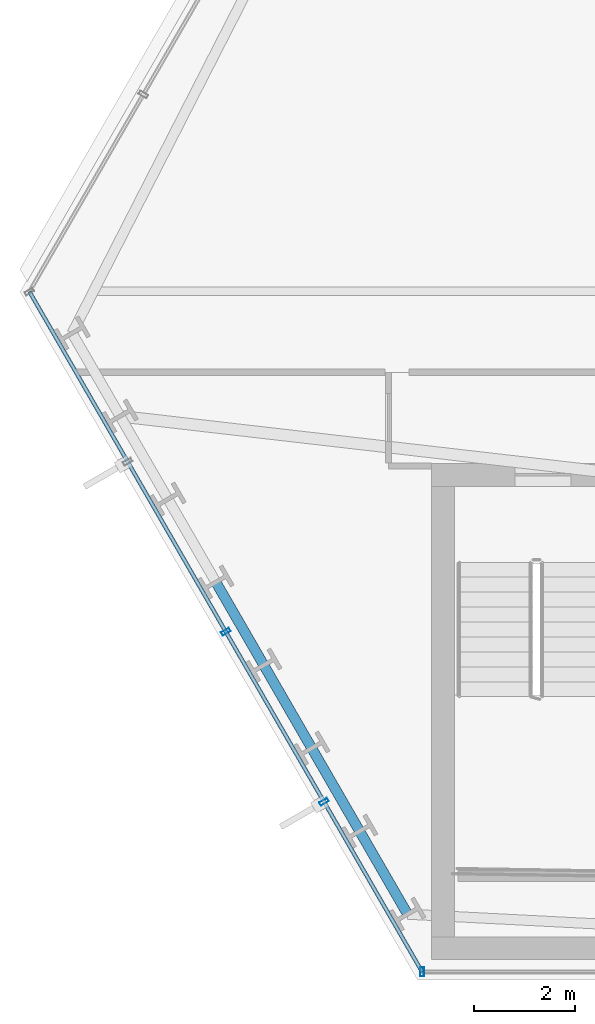
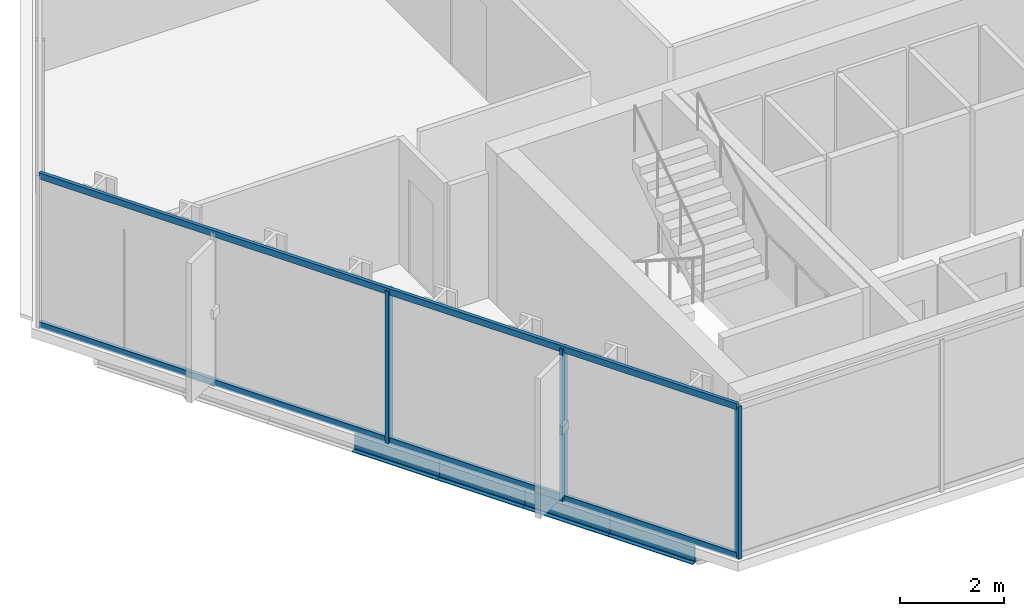
# One storey, part 2 of 32: 5 members, 4 beams, 2 elements without a shape of their own.
"""IFC4 building model written with IfcOpenShell, lengths in metres."""

from ifc_helpers import new_model, si_unit, direction, frame, origin, origin_2d, place, context, subcontext, project, spatial, hollow_rectangle, i_section, extrude, material, layer, layer_set, material_profile, profile_set, type_object, element, aggregate, save


model = new_model("IFC4")

# Units and contexts
model_context = context("Model", 3, precision=1e-05, world=origin(), true_north=direction((0.0, 1.0)))
body_context = subcontext(model_context, "Body", "Model", "MODEL_VIEW")
ifc_project = project(units=[si_unit("LENGTHUNIT", "METRE"), si_unit("AREAUNIT", "SQUARE_METRE"), si_unit("VOLUMEUNIT", "CUBIC_METRE"), si_unit("PLANEANGLEUNIT", "RADIAN"), si_unit("MASSUNIT", "GRAM", prefix="KILO")], contexts=[model_context])

# Site, building, storey
site_placement = place(None, origin())
site = spatial("IfcSite", under=ifc_project, at=site_placement, CompositionType="ELEMENT")
building_placement = place(site_placement, origin())
building = spatial("IfcBuilding", under=site, at=building_placement, Name="Ndaravel Arena Tower", CompositionType="ELEMENT")
storey_placement = place(building_placement, frame((0.0, 0.0, 58.800048828125)))
storey = spatial("IfcBuildingStorey", under=building, at=storey_placement, Name="L12", CompositionType="ELEMENT", Elevation=58.800048828125)

# Beams
ifc_material_1 = material(Name="Steel S355", Category="steel")
ifc_material_profile_1 = material_profile(ifc_material_1, i_section(OverallWidth=0.199951171875, OverallDepth=0.5, WebThickness=0.01025390625, FlangeThickness=0.01611328125, FilletRadius=0.02099609375, at=origin_2d()), Name="IPE 500")
ifc_profile_set_1 = profile_set([ifc_material_profile_1], Name="Steel S355")
beam_type = type_object("IfcBeamType", Name="BM-SPAN-IPE500", PredefinedType="SPANDREL", material=ifc_profile_set_1)
for number, where, z_axis, x_axis, name in (
    (1, (22.19091796875, 12.856689453125, -0.469970703125), (0.499912255713, -0.866076057046, 0.0), (0.866076057046, 0.499912255713, 0.0), "L12 Perimeter Spandrel Beam SP-23"),
    (2, (23.13720703125, 11.21728515625, -0.469970703125), (0.500064840575, -0.865987964824, 0.0), (0.865987964824, 0.500064840575, 0.0), "L12 Perimeter Spandrel Beam SP-24"),
):
    element("IfcBeam", number, at=place(storey_placement, frame(where, z_axis=z_axis, x_axis=x_axis)), inside=storey, type_object=beam_type, Name=name, PredefinedType="SPANDREL", context=body_context, shape_type="SweptSolid", body=[
        extrude(i_section(OverallWidth=0.199951171875, OverallDepth=0.5, WebThickness=0.01025390625, FlangeThickness=0.01611328125, FilletRadius=0.02099609375, at=origin_2d()), origin(), (0.0, 0.0, 1.0), 1.892822265625),
    ])
beam_1_placement = place(storey_placement, frame((24.083740234375, 9.578125, -0.469970703125), z_axis=(0.499968102766, -0.866043818878, 0.0), x_axis=(0.866043818878, 0.499968102766, 0.0)))
element("IfcBeam", 3, at=beam_1_placement, inside=storey, type_object=beam_type, Name="L12 Perimeter Spandrel Beam SP-25", PredefinedType="SPANDREL", context=body_context, shape_type="SweptSolid", body=[
    extrude(i_section(OverallWidth=0.199951171875, OverallDepth=0.5, WebThickness=0.01025390625, FlangeThickness=0.01611328125, FilletRadius=0.02099609375, at=origin_2d()), origin(), (0.0, 0.0, 1.0), 1.892578125),
])
beam_2_placement = place(storey_placement, frame((25.030029296875, 7.93896484375, -0.469970703125), z_axis=(0.50000898992, -0.86602021339, 0.0), x_axis=(0.86602021339, 0.50000898992, 0.0)))
element("IfcBeam", 4, at=beam_2_placement, inside=storey, type_object=beam_type, Name="L12 Perimeter Spandrel Beam SP-26", PredefinedType="SPANDREL", context=body_context, shape_type="SweptSolid", body=[
    extrude(i_section(OverallWidth=0.199951171875, OverallDepth=0.5, WebThickness=0.01025390625, FlangeThickness=0.01611328125, FilletRadius=0.02099609375, at=origin_2d()), origin(), (0.0, 0.0, 1.0), 1.89306640625),
])

# Curtain wall, member
ifc_material_2 = material(Name="Aluminium", Category="aluminium")
ifc_layer_1 = layer(ifc_material_2, 0.179931640625)
ifc_layer_set_1 = layer_set([ifc_layer_1], Name="Aluminium")
curtain_wall_type_1 = type_object("IfcCurtainWallType", Name="CW-SYS-03", PredefinedType="NOTDEFINED", material=ifc_layer_set_1)
curtain_wall_1_placement = place(storey_placement, origin())
curtain_wall_1 = element("IfcCurtainWall", 5, at=curtain_wall_1_placement, inside=storey, type_object=curtain_wall_type_1, Name="L12 Faceted Crystal Curtain Wall CW-L12-E01", PredefinedType="NOTDEFINED")
ifc_material_3 = material(Name="Aluminium", Category="aluminium")
ifc_material_profile_2 = material_profile(ifc_material_3, hollow_rectangle(XDim=0.074951171875, YDim=0.179931640625, WallThickness=0.00390625, at=origin_2d()), Name="CW MULLION 75x180x4")
ifc_profile_set_2 = profile_set([ifc_material_profile_2], Name="Aluminium")
member_type_1 = type_object("IfcMemberType", Name="MEM-CW-MUL180", PredefinedType="MULLION", material=ifc_profile_set_2)
member_1_placement = place(storey_placement, frame((26.264892578125, 5.159912109375, 0.0), z_axis=(0.0, 0.0, 1.0), x_axis=(1.0, 0.0, 0.0)))
member_1 = element("IfcMember", 6, at=member_1_placement, type_object=member_type_1, Name="CW-L12-E01 Mullion 00", PredefinedType="MULLION", context=body_context, shape_type="SweptSolid", body=[
    extrude(hollow_rectangle(XDim=0.074951171875, YDim=0.179931640625, WallThickness=0.00390625, at=origin_2d()), origin(), (0.0, 0.0, 1.0), 3.579833984375),
])
aggregate(curtain_wall_1, [member_1])

# Curtain wall, members
ifc_material_4 = material(Name="Aluminium", Category="aluminium")
ifc_layer_2 = layer(ifc_material_4, 0.179931640625)
ifc_layer_set_2 = layer_set([ifc_layer_2], Name="Aluminium")
curtain_wall_type_2 = type_object("IfcCurtainWallType", Name="CW-SYS-02", PredefinedType="NOTDEFINED", material=ifc_layer_set_2)
curtain_wall_2_placement = place(storey_placement, origin())
curtain_wall_2 = element("IfcCurtainWall", 7, at=curtain_wall_2_placement, inside=storey, type_object=curtain_wall_type_2, Name="L12 Faceted Crystal Curtain Wall CW-L12-E06", PredefinedType="NOTDEFINED")
member_2_placement = place(storey_placement, frame((22.386962890625, 11.876953125, 0.0), z_axis=(0.0, 0.0, 1.0), x_axis=(0.5, -0.866025403784, 0.0)))
member_2 = element("IfcMember", 8, at=member_2_placement, type_object=member_type_1, Name="CW-L12-E06 Mullion 02", PredefinedType="MULLION", context=body_context, shape_type="SweptSolid", body=[
    extrude(hollow_rectangle(XDim=0.074951171875, YDim=0.179931640625, WallThickness=0.00390625, at=origin_2d()), origin(), (0.0, 0.0, 1.0), 3.579833984375),
])
member_3_placement = place(storey_placement, frame((24.325927734375, 8.5185546875, 0.0), z_axis=(0.0, 0.0, 1.0), x_axis=(0.5, -0.866025403784, 0.0)))
member_3 = element("IfcMember", 9, at=member_3_placement, type_object=member_type_1, Name="CW-L12-E06 Mullion 03", PredefinedType="MULLION", context=body_context, shape_type="SweptSolid", body=[
    extrude(hollow_rectangle(XDim=0.074951171875, YDim=0.179931640625, WallThickness=0.00390625, at=origin_2d()), origin(), (0.0, 0.0, 1.0), 3.579833984375),
])
ifc_material_5 = material(Name="Aluminium", Category="aluminium")
ifc_material_profile_3 = material_profile(ifc_material_5, hollow_rectangle(XDim=0.074951171875, YDim=0.14990234375, WallThickness=0.00390625, at=origin_2d()), Name="CW TRANSOM 75x150x4")
ifc_profile_set_3 = profile_set([ifc_material_profile_3], Name="Aluminium")
member_type_2 = type_object("IfcMemberType", Name="MEM-CW-TRN150", PredefinedType="USERDEFINED", material=ifc_profile_set_3)
member_4_placement = place(storey_placement, frame((18.5087890625, 18.593994140625, 0.0400390625), z_axis=(0.499996743158, -0.866027284115, 0.0), x_axis=(0.866027284115, 0.499996743158, 0.0)))
member_4 = element("IfcMember", 10, at=member_4_placement, type_object=member_type_2, Name="CW-L12-E06 Transom 01", ObjectType="TRANSOM", PredefinedType="USERDEFINED", context=body_context, shape_type="SweptSolid", body=[
    extrude(hollow_rectangle(XDim=0.074951171875, YDim=0.14990234375, WallThickness=0.00390625, at=origin_2d()), origin(), (0.0, 0.0, 1.0), 15.51220703125),
])
member_5_placement = place(storey_placement, frame((18.5087890625, 18.593994140625, 3.5400390625), z_axis=(0.499996743158, -0.866027284115, 0.0), x_axis=(0.866027284115, 0.499996743158, 0.0)))
member_5 = element("IfcMember", 11, at=member_5_placement, type_object=member_type_2, Name="CW-L12-E06 Transom 02", ObjectType="TRANSOM", PredefinedType="USERDEFINED", context=body_context, shape_type="SweptSolid", body=[
    extrude(hollow_rectangle(XDim=0.074951171875, YDim=0.14990234375, WallThickness=0.00390625, at=origin_2d()), origin(), (0.0, 0.0, 1.0), 15.51220703125),
])
aggregate(curtain_wall_2, [member_2, member_3, member_4, member_5])

save(model, "model.ifc")
